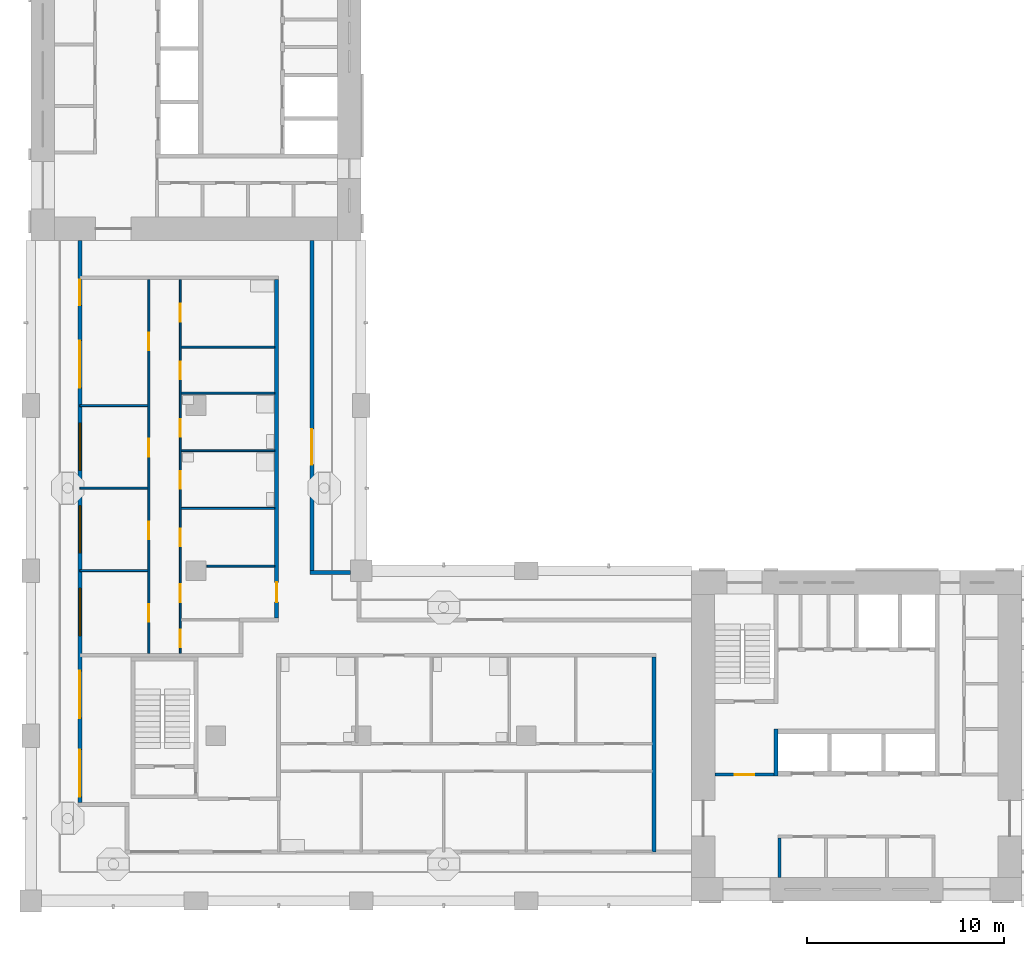
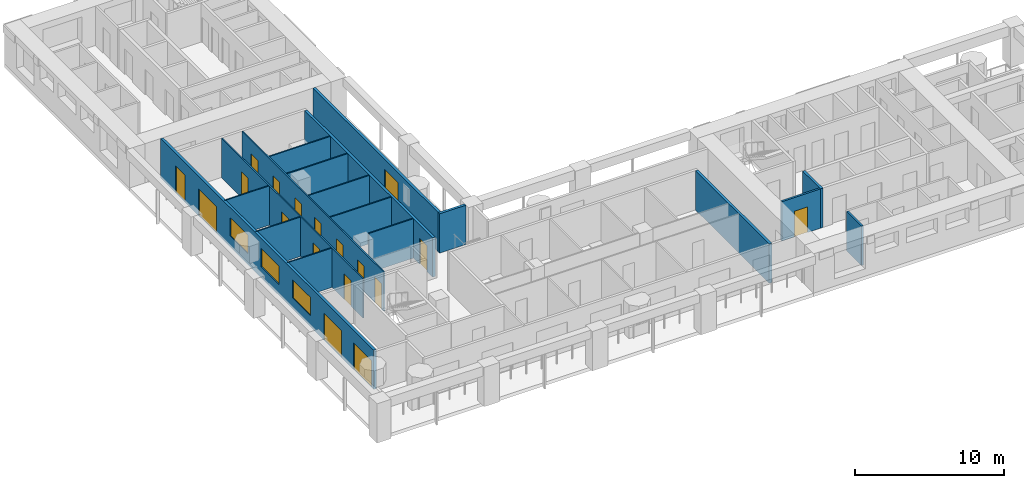
# One storey, part 3 of 13: 18 doors, 18 walls, 3 windows, 21 openings.
"""IFC4 building model written with IfcOpenShell, lengths in metres."""

from ifc_helpers import new_model, si_unit, direction, frame, frame_2d, origin, place, context, subcontext, project, spatial, rectangle, extrude, material, layer, layer_set, type_object, element, fill, save


model = new_model("IFC4")

# Units and contexts
model_context = context("Model", 3, precision=1e-05, world=origin(), true_north=direction((0.0, 1.0)))
body_context = subcontext(model_context, "Body", "Model", "MODEL_VIEW")
ifc_project = project(units=[si_unit("LENGTHUNIT", "METRE"), si_unit("AREAUNIT", "SQUARE_METRE"), si_unit("VOLUMEUNIT", "CUBIC_METRE"), si_unit("PLANEANGLEUNIT", "RADIAN"), si_unit("MASSUNIT", "GRAM", prefix="KILO")], contexts=[model_context])

# Site, building, storey
site_placement = place(None, origin())
site = spatial("IfcSite", under=ifc_project, at=site_placement, CompositionType="ELEMENT")
building_placement = place(site_placement, origin())
building = spatial("IfcBuilding", under=site, at=building_placement, Name="Vermilion Gate Residences", CompositionType="ELEMENT")
storey_placement = place(building_placement, frame((0.0, 0.0, 158.199951171875)))
storey = spatial("IfcBuildingStorey", under=building, at=storey_placement, Name="L40", CompositionType="ELEMENT", Elevation=158.199951171875)

# Wall
ifc_material_1 = material(Name="Masonry blockwork", Category="masonry")
ifc_layer_1 = layer(ifc_material_1, 0.14990234375)
ifc_layer_set_1 = layer_set([ifc_layer_1], Name="BLOCKWORK PARTITION 150 EI 120")
wall_type_1 = type_object("IfcWallType", Name="BLOCKWORK PARTITION 150 EI 120", PredefinedType="PARTITIONING", material=ifc_layer_set_1)
wall_1_placement = place(storey_placement, frame((46.47509765625, 9.60009765625, 0.0), z_axis=(0.0, 0.0, 1.0), x_axis=(0.0, 1.0, 0.0)))
element("IfcWall", 1, at=wall_1_placement, inside=storey, type_object=wall_type_1, Name="Core room partition A40-RW-W", PredefinedType="PARTITIONING", context=body_context, shape_type="SweptSolid", body=[
    extrude(rectangle(XDim=2.0, YDim=0.14990234375, at=frame_2d((1.0, 0.0))), origin(), (0.0, 0.0, 1.0), 3.219970703125),
])

# Wall, opening, door
wall_2_placement = place(storey_placement, frame((43.199951171875, 14.824951171875, 0.0), z_axis=(0.0, 0.0, 1.0), x_axis=(1.0, 0.0, 0.0)))
wall_2 = element("IfcWall", 2, at=wall_2_placement, inside=storey, type_object=wall_type_1, Name="Core room partition A40-VW-S", PredefinedType="PARTITIONING", context=body_context, shape_type="SweptSolid", body=[
    extrude(rectangle(XDim=3.0, YDim=0.14990234375, at=frame_2d((1.5, 0.0))), origin(), (0.0, 0.0, 1.0), 3.219970703125),
])
opening_1_placement = place(wall_2_placement, frame((1.0, 0.0, 0.0)))
opening_1 = element("IfcOpeningElement", 3, at=opening_1_placement, cuts=wall_2, Name="Opening DK40014", PredefinedType="OPENING", context=body_context, shape_type="SweptSolid", body=[
    extrude(rectangle(XDim=1.0, YDim=2.10009765625, at=frame_2d((0.5, 1.050048828125))), frame((0.0, 0.0849609375, 0.0), z_axis=(0.0, -1.0, 0.0), x_axis=(1.0, 0.0, 0.0)), (0.0, 0.0, 1.0), 0.169921875),
])
ifc_material_2 = material(Name="Steel", Category="steel")
door_type_1 = type_object("IfcDoorType", Name="FIRE DOOR FD60 1000 X 2100", OperationType="SINGLE_SWING_LEFT", PredefinedType="DOOR", material=ifc_material_2)
door_1_placement = place(opening_1_placement, frame((1.0, 0.0, 0.0), z_axis=(0.0, 0.0, 1.0), x_axis=(-1.0, 0.0, 0.0)))
door_1 = element("IfcDoor", 4, at=door_1_placement, inside=storey, type_object=door_type_1, Name="Stair vestibule door A40", OperationType="SINGLE_SWING_RIGHT", OverallHeight=2.10009765625, OverallWidth=1.0, PredefinedType="DOOR", context=body_context, shape_type="SweptSolid", body=[
    extrude(rectangle(XDim=1.0, YDim=2.10009765625, at=frame_2d((0.5, 1.050048828125))), frame((0.0, 0.02490234375, 0.0), z_axis=(0.0, -1.0, 0.0), x_axis=(1.0, 0.0, 0.0)), (0.0, 0.0, 1.0), 0.050048828125),
])
fill(opening_1, door_1)

# Wall, openings, doors, windows
ifc_material_3 = material(Name="Insulated steel stud wall with terracotta rainscreen", Category="masonry")
ifc_layer_2 = layer(ifc_material_3, 0.199951171875)
ifc_layer_set_2 = layer_set([ifc_layer_2], Name="EXTERNAL WALL 200 TERRACOTTA RAINSCREEN")
wall_type_2 = type_object("IfcWallType", Name="EXTERNAL WALL 200 TERRACOTTA RAINSCREEN", PredefinedType="SOLIDWALL", material=ifc_layer_set_2)
wall_3_placement = place(storey_placement, frame((10.89990234375, 42.0, 0.0), z_axis=(0.0, 0.0, 1.0), x_axis=(0.0, -1.0, 0.0)))
wall_3 = element("IfcWall", 5, at=wall_3_placement, inside=storey, type_object=wall_type_2, Name="External wall", PredefinedType="SOLIDWALL", context=body_context, shape_type="SweptSolid", body=[
    extrude(rectangle(XDim=28.60009765625, YDim=0.199951171875, at=frame_2d((14.300048828125, 0.0))), origin(), (0.0, 0.0, 1.0), 3.219970703125),
])
opening_2_placement = place(wall_3_placement, frame((25.89990234375, 0.0, 0.0)))
opening_2 = element("IfcOpeningElement", 6, at=opening_2_placement, cuts=wall_3, Name="Opening DE40001", PredefinedType="OPENING", context=body_context, shape_type="SweptSolid", body=[
    extrude(rectangle(XDim=2.39990234375, YDim=2.199951171875, at=frame_2d((1.199951171875, 1.10009765625))), frame((0.0, 0.10986328125, 0.0), z_axis=(0.0, -1.0, 0.0), x_axis=(1.0, 0.0, 0.0)), (0.0, 0.0, 1.0), 0.219970703125),
])
opening_3_placement = place(wall_3_placement, frame((21.89990234375, 0.0, 0.0)))
opening_3 = element("IfcOpeningElement", 7, at=opening_3_placement, cuts=wall_3, Name="Opening DE40002", PredefinedType="OPENING", context=body_context, shape_type="SweptSolid", body=[
    extrude(rectangle(XDim=2.39990234375, YDim=2.199951171875, at=frame_2d((1.199951171875, 1.10009765625))), frame((0.0, 0.10986328125, 0.0), z_axis=(0.0, -1.0, 0.0), x_axis=(1.0, 0.0, 0.0)), (0.0, 0.0, 1.0), 0.219970703125),
])
opening_4_placement = place(wall_3_placement, frame((17.699951171875, 0.0, 0.89990234375)))
opening_4 = element("IfcOpeningElement", 8, at=opening_4_placement, cuts=wall_3, Name="Opening WE40003", PredefinedType="OPENING", context=body_context, shape_type="SweptSolid", body=[
    extrude(rectangle(XDim=2.39990234375, YDim=1.5, at=frame_2d((1.199951171875, 0.75))), frame((0.0, 0.10986328125, 0.0), z_axis=(0.0, -1.0, 0.0), x_axis=(1.0, 0.0, 0.0)), (0.0, 0.0, 1.0), 0.219970703125),
])
opening_5_placement = place(wall_3_placement, frame((13.5, 0.0, 0.89990234375)))
opening_5 = element("IfcOpeningElement", 9, at=opening_5_placement, cuts=wall_3, Name="Opening WE40004", PredefinedType="OPENING", context=body_context, shape_type="SweptSolid", body=[
    extrude(rectangle(XDim=2.39990234375, YDim=1.5, at=frame_2d((1.199951171875, 0.75))), frame((0.0, 0.10986328125, 0.0), z_axis=(0.0, -1.0, 0.0), x_axis=(1.0, 0.0, 0.0)), (0.0, 0.0, 1.0), 0.219970703125),
])
opening_6_placement = place(wall_3_placement, frame((9.300048828125, 0.0, 0.89990234375)))
opening_6 = element("IfcOpeningElement", 10, at=opening_6_placement, cuts=wall_3, Name="Opening WE40005", PredefinedType="OPENING", context=body_context, shape_type="SweptSolid", body=[
    extrude(rectangle(XDim=2.39990234375, YDim=1.5, at=frame_2d((1.199951171875, 0.75))), frame((0.0, 0.10986328125, 0.0), z_axis=(0.0, -1.0, 0.0), x_axis=(1.0, 0.0, 0.0)), (0.0, 0.0, 1.0), 0.219970703125),
])
opening_7_placement = place(wall_3_placement, frame((5.10009765625, 0.0, 0.0)))
opening_7 = element("IfcOpeningElement", 11, at=opening_7_placement, cuts=wall_3, Name="Opening DE40006", PredefinedType="OPENING", context=body_context, shape_type="SweptSolid", body=[
    extrude(rectangle(XDim=2.39990234375, YDim=2.199951171875, at=frame_2d((1.199951171875, 1.10009765625))), frame((0.0, 0.10986328125, 0.0), z_axis=(0.0, -1.0, 0.0), x_axis=(1.0, 0.0, 0.0)), (0.0, 0.0, 1.0), 0.219970703125),
])
opening_8_placement = place(wall_3_placement, frame((2.0, 0.0, 0.0)))
opening_8 = element("IfcOpeningElement", 12, at=opening_8_placement, cuts=wall_3, Name="Opening DE40007", PredefinedType="OPENING", context=body_context, shape_type="SweptSolid", body=[
    extrude(rectangle(XDim=1.300048828125, YDim=2.199951171875, at=frame_2d((0.64990234375, 1.10009765625))), frame((0.0, 0.10986328125, 0.0), z_axis=(0.0, -1.0, 0.0), x_axis=(1.0, 0.0, 0.0)), (0.0, 0.0, 1.0), 0.219970703125),
])
ifc_material_4 = material(Name="Aluminium and clear glass", Category="aluminium")
door_type_2 = type_object("IfcDoorType", Name="SLIDING GLAZED DOOR 1300 X 2200", OperationType="DOUBLE_DOOR_SLIDING", PredefinedType="DOOR", material=ifc_material_4)
door_2_placement = place(opening_8_placement, origin())
door_2 = element("IfcDoor", 13, at=door_2_placement, inside=storey, type_object=door_type_2, Name="Loggia sliding door", OperationType="DOUBLE_DOOR_SLIDING", OverallHeight=2.199951171875, OverallWidth=1.300048828125, PredefinedType="DOOR", context=body_context, shape_type="SweptSolid", body=[
    extrude(rectangle(XDim=1.300048828125, YDim=2.199951171875, at=frame_2d((0.64990234375, 1.10009765625))), frame((0.0, 0.02490234375, 0.0), z_axis=(0.0, -1.0, 0.0), x_axis=(1.0, 0.0, 0.0)), (0.0, 0.0, 1.0), 0.050048828125),
])
fill(opening_8, door_2)
ifc_material_5 = material(Name="Aluminium and clear glass", Category="aluminium")
door_type_3 = type_object("IfcDoorType", Name="SLIDING GLAZED DOOR 2400 X 2200", OperationType="DOUBLE_DOOR_SLIDING", PredefinedType="DOOR", material=ifc_material_5)
door_3_placement = place(opening_2_placement, origin())
door_3 = element("IfcDoor", 14, at=door_3_placement, inside=storey, type_object=door_type_3, Name="Loggia sliding door", OperationType="DOUBLE_DOOR_SLIDING", OverallHeight=2.199951171875, OverallWidth=2.39990234375, PredefinedType="DOOR", context=body_context, shape_type="SweptSolid", body=[
    extrude(rectangle(XDim=2.39990234375, YDim=2.199951171875, at=frame_2d((1.199951171875, 1.10009765625))), frame((0.0, 0.02490234375, 0.0), z_axis=(0.0, -1.0, 0.0), x_axis=(1.0, 0.0, 0.0)), (0.0, 0.0, 1.0), 0.050048828125),
])
fill(opening_2, door_3)
door_4_placement = place(opening_3_placement, origin())
door_4 = element("IfcDoor", 15, at=door_4_placement, inside=storey, type_object=door_type_3, Name="Loggia sliding door", OperationType="DOUBLE_DOOR_SLIDING", OverallHeight=2.199951171875, OverallWidth=2.39990234375, PredefinedType="DOOR", context=body_context, shape_type="SweptSolid", body=[
    extrude(rectangle(XDim=2.39990234375, YDim=2.199951171875, at=frame_2d((1.199951171875, 1.10009765625))), frame((0.0, 0.02490234375, 0.0), z_axis=(0.0, -1.0, 0.0), x_axis=(1.0, 0.0, 0.0)), (0.0, 0.0, 1.0), 0.050048828125),
])
fill(opening_3, door_4)
door_5_placement = place(opening_7_placement, origin())
door_5 = element("IfcDoor", 16, at=door_5_placement, inside=storey, type_object=door_type_3, Name="Loggia sliding door", OperationType="DOUBLE_DOOR_SLIDING", OverallHeight=2.199951171875, OverallWidth=2.39990234375, PredefinedType="DOOR", context=body_context, shape_type="SweptSolid", body=[
    extrude(rectangle(XDim=2.39990234375, YDim=2.199951171875, at=frame_2d((1.199951171875, 1.10009765625))), frame((0.0, 0.02490234375, 0.0), z_axis=(0.0, -1.0, 0.0), x_axis=(1.0, 0.0, 0.0)), (0.0, 0.0, 1.0), 0.050048828125),
])
fill(opening_7, door_5)
ifc_material_6 = material(Name="Aluminium and clear glass", Category="aluminium")
window_type = type_object("IfcWindowType", Name="WINDOW 2400 X 1500", PartitioningType="SINGLE_PANEL", PredefinedType="WINDOW", material=ifc_material_6)
window_1_placement = place(opening_4_placement, origin())
window_1 = element("IfcWindow", 17, at=window_1_placement, inside=storey, type_object=window_type, Name="Window", OverallHeight=1.5, OverallWidth=2.39990234375, PartitioningType="SINGLE_PANEL", PredefinedType="WINDOW", context=body_context, shape_type="SweptSolid", body=[
    extrude(rectangle(XDim=2.39990234375, YDim=1.5, at=frame_2d((1.199951171875, 0.75))), frame((0.0, 0.030029296875, 0.0), z_axis=(0.0, -1.0, 0.0), x_axis=(1.0, 0.0, 0.0)), (0.0, 0.0, 1.0), 0.06005859375),
])
fill(opening_4, window_1)
window_2_placement = place(opening_5_placement, origin())
window_2 = element("IfcWindow", 18, at=window_2_placement, inside=storey, type_object=window_type, Name="Window", OverallHeight=1.5, OverallWidth=2.39990234375, PartitioningType="SINGLE_PANEL", PredefinedType="WINDOW", context=body_context, shape_type="SweptSolid", body=[
    extrude(rectangle(XDim=2.39990234375, YDim=1.5, at=frame_2d((1.199951171875, 0.75))), frame((0.0, 0.030029296875, 0.0), z_axis=(0.0, -1.0, 0.0), x_axis=(1.0, 0.0, 0.0)), (0.0, 0.0, 1.0), 0.06005859375),
])
fill(opening_5, window_2)
window_3_placement = place(opening_6_placement, origin())
window_3 = element("IfcWindow", 19, at=window_3_placement, inside=storey, type_object=window_type, Name="Window", OverallHeight=1.5, OverallWidth=2.39990234375, PartitioningType="SINGLE_PANEL", PredefinedType="WINDOW", context=body_context, shape_type="SweptSolid", body=[
    extrude(rectangle(XDim=2.39990234375, YDim=1.5, at=frame_2d((1.199951171875, 0.75))), frame((0.0, 0.030029296875, 0.0), z_axis=(0.0, -1.0, 0.0), x_axis=(1.0, 0.0, 0.0)), (0.0, 0.0, 1.0), 0.06005859375),
])
fill(opening_6, window_3)

# Wall
wall_4_placement = place(storey_placement, frame((24.64990234375, 25.10009765625, 0.0), z_axis=(0.0, 0.0, 1.0), x_axis=(-1.0, 0.0, 0.0)))
element("IfcWall", 20, at=wall_4_placement, inside=storey, type_object=wall_type_2, Name="External wall", PredefinedType="SOLIDWALL", context=body_context, shape_type="SweptSolid", body=[
    extrude(rectangle(XDim=2.0498046875, YDim=0.199951171875, at=frame_2d((1.02490234375, 0.0))), origin(), (0.0, 0.0, 1.0), 3.219970703125),
])

# Wall, opening, door
wall_5_placement = place(storey_placement, frame((22.699951171875, 25.199951171875, 0.0), z_axis=(0.0, 0.0, 1.0), x_axis=(0.0, 1.0, 0.0)))
wall_5 = element("IfcWall", 21, at=wall_5_placement, inside=storey, type_object=wall_type_2, Name="External wall", PredefinedType="SOLIDWALL", context=body_context, shape_type="SweptSolid", body=[
    extrude(rectangle(XDim=16.800048828125, YDim=0.199951171875, at=frame_2d((8.39990234375, 0.0))), origin(), (0.0, 0.0, 1.0), 3.219970703125),
])
opening_9_placement = place(wall_5_placement, frame((5.39990234375, 0.0, 0.0)))
opening_9 = element("IfcOpeningElement", 22, at=opening_9_placement, cuts=wall_5, Name="Opening DE40021", PredefinedType="OPENING", context=body_context, shape_type="SweptSolid", body=[
    extrude(rectangle(XDim=1.800048828125, YDim=2.39990234375, at=frame_2d((0.89990234375, 1.199951171875))), frame((0.0, 0.10986328125, 0.0), z_axis=(0.0, -1.0, 0.0), x_axis=(1.0, 0.0, 0.0)), (0.0, 0.0, 1.0), 0.219970703125),
])
ifc_material_7 = material(Name="Aluminium and clear glass", Category="aluminium")
door_type_4 = type_object("IfcDoorType", Name="GLAZED EXTERNAL DOOR 1800 X 2400", OperationType="DOUBLE_DOOR_SINGLE_SWING", PredefinedType="DOOR", material=ifc_material_7)
door_6_placement = place(opening_9_placement, frame((1.800048828125, 0.0, 0.0), z_axis=(0.0, 0.0, 1.0), x_axis=(-1.0, 0.0, 0.0)))
door_6 = element("IfcDoor", 23, at=door_6_placement, inside=storey, type_object=door_type_4, Name="Gallery door", OperationType="DOUBLE_DOOR_SINGLE_SWING", OverallHeight=2.39990234375, OverallWidth=1.800048828125, PredefinedType="DOOR", context=body_context, shape_type="SweptSolid", body=[
    extrude(rectangle(XDim=1.800048828125, YDim=2.39990234375, at=frame_2d((0.89990234375, 1.199951171875))), frame((0.0, 0.02490234375, 0.0), z_axis=(0.0, -1.0, 0.0), x_axis=(1.0, 0.0, 0.0)), (0.0, 0.0, 1.0), 0.050048828125),
])
fill(opening_9, door_6)

# Walls
ifc_material_8 = material(Name="Plasterboard on steel studs", Category="steel")
ifc_layer_3 = layer(ifc_material_8, 0.10009765625)
ifc_layer_set_3 = layer_set([ifc_layer_3], Name="PARTITION 100")
wall_type_3 = type_object("IfcWallType", Name="PARTITION 100", PredefinedType="PARTITIONING", material=ifc_layer_set_3)
wall_6_placement = place(storey_placement, frame((10.89990234375, 25.199951171875, 0.0), z_axis=(0.0, 0.0, 1.0), x_axis=(1.0, 0.0, 0.0)))
element("IfcWall", 24, at=wall_6_placement, inside=storey, type_object=wall_type_3, Name="Partition", PredefinedType="PARTITIONING", context=body_context, shape_type="SweptSolid", body=[
    extrude(rectangle(XDim=3.4501953125, YDim=0.10009765625, at=frame_2d((1.72509765625, 0.0))), origin(), (0.0, 0.0, 1.0), 3.219970703125),
])
wall_7_placement = place(storey_placement, frame((17.35009765625, 25.43310546875, 0.0), z_axis=(0.0, 0.0, 1.0), x_axis=(1.0, 0.0, 0.0)))
element("IfcWall", 25, at=wall_7_placement, inside=storey, type_object=wall_type_3, Name="Partition", PredefinedType="PARTITIONING", context=body_context, shape_type="SweptSolid", body=[
    extrude(rectangle(XDim=3.449951171875, YDim=0.10009765625, at=frame_2d((1.72509765625, 0.0))), origin(), (0.0, 0.0, 1.0), 3.219970703125),
])
wall_8_placement = place(storey_placement, frame((16.050048828125, 28.366943359375, 0.0), z_axis=(0.0, 0.0, 1.0), x_axis=(1.0, 0.0, 0.0)))
element("IfcWall", 26, at=wall_8_placement, inside=storey, type_object=wall_type_3, Name="Partition", PredefinedType="PARTITIONING", context=body_context, shape_type="SweptSolid", body=[
    extrude(rectangle(XDim=4.75, YDim=0.10009765625, at=frame_2d((2.375, 0.0))), origin(), (0.0, 0.0, 1.0), 3.219970703125),
])
wall_9_placement = place(storey_placement, frame((10.89990234375, 29.39990234375, 0.0), z_axis=(0.0, 0.0, 1.0), x_axis=(1.0, 0.0, 0.0)))
element("IfcWall", 27, at=wall_9_placement, inside=storey, type_object=wall_type_3, Name="Partition", PredefinedType="PARTITIONING", context=body_context, shape_type="SweptSolid", body=[
    extrude(rectangle(XDim=3.4501953125, YDim=0.10009765625, at=frame_2d((1.72509765625, 0.0))), origin(), (0.0, 0.0, 1.0), 3.219970703125),
])
wall_10_placement = place(storey_placement, frame((16.050048828125, 31.300048828125, 0.0), z_axis=(0.0, 0.0, 1.0), x_axis=(1.0, 0.0, 0.0)))
element("IfcWall", 28, at=wall_10_placement, inside=storey, type_object=wall_type_3, Name="Partition", PredefinedType="PARTITIONING", context=body_context, shape_type="SweptSolid", body=[
    extrude(rectangle(XDim=4.75, YDim=0.10009765625, at=frame_2d((2.375, 0.0))), origin(), (0.0, 0.0, 1.0), 3.219970703125),
])
wall_11_placement = place(storey_placement, frame((10.89990234375, 33.60009765625, 0.0), z_axis=(0.0, 0.0, 1.0), x_axis=(1.0, 0.0, 0.0)))
element("IfcWall", 29, at=wall_11_placement, inside=storey, type_object=wall_type_3, Name="Partition", PredefinedType="PARTITIONING", context=body_context, shape_type="SweptSolid", body=[
    extrude(rectangle(XDim=3.4501953125, YDim=0.10009765625, at=frame_2d((1.72509765625, 0.0))), origin(), (0.0, 0.0, 1.0), 3.219970703125),
])
for number, where, z_axis, x_axis, name in (
    (30, (16.050048828125, 34.23291015625, 0.0), (0.0, 0.0, 1.0), (1.0, 0.0, 0.0), "Partition"),
    (31, (16.050048828125, 36.56689453125, 0.0), (0.0, 0.0, 1.0), (1.0, 0.0, 0.0), "Partition"),
):
    element("IfcWall", number, at=place(storey_placement, frame(where, z_axis=z_axis, x_axis=x_axis)), inside=storey, type_object=wall_type_3, Name=name, PredefinedType="PARTITIONING", context=body_context, shape_type="SweptSolid", body=[
        extrude(rectangle(XDim=4.75, YDim=0.10009765625, at=frame_2d((2.375, 0.0))), origin(), (0.0, 0.0, 1.0), 3.219970703125),
    ])

# Wall, openings, doors
wall_12_placement = place(storey_placement, frame((14.39990234375, 21.0, 0.0), z_axis=(0.0, 0.0, 1.0), x_axis=(0.0, 1.0, 0.0)))
wall_12 = element("IfcWall", 32, at=wall_12_placement, inside=storey, type_object=wall_type_3, Name="Partition", PredefinedType="PARTITIONING", context=body_context, shape_type="SweptSolid", body=[
    extrude(rectangle(XDim=19.0, YDim=0.10009765625, at=frame_2d((9.5, 0.0))), origin(), (0.0, 0.0, 1.0), 3.219970703125),
])
opening_10_placement = place(wall_12_placement, frame((1.60009765625, 0.0, 0.0)))
opening_10 = element("IfcOpeningElement", 33, at=opening_10_placement, cuts=wall_12, Name="Opening DA40012", PredefinedType="OPENING", context=body_context, shape_type="SweptSolid", body=[
    extrude(rectangle(XDim=0.89990234375, YDim=2.10009765625, at=frame_2d((0.449951171875, 1.050048828125))), frame((0.0, 0.06005859375, 0.0), z_axis=(0.0, -1.0, 0.0), x_axis=(1.0, 0.0, 0.0)), (0.0, 0.0, 1.0), 0.1201171875),
])
opening_11_placement = place(wall_12_placement, frame((5.800048828125, 0.0, 0.0)))
opening_11 = element("IfcOpeningElement", 34, at=opening_11_placement, cuts=wall_12, Name="Opening DA40013", PredefinedType="OPENING", context=body_context, shape_type="SweptSolid", body=[
    extrude(rectangle(XDim=0.89990234375, YDim=2.10009765625, at=frame_2d((0.449951171875, 1.050048828125))), frame((0.0, 0.06005859375, 0.0), z_axis=(0.0, -1.0, 0.0), x_axis=(1.0, 0.0, 0.0)), (0.0, 0.0, 1.0), 0.1201171875),
])
opening_12_placement = place(wall_12_placement, frame((10.0, 0.0, 0.0)))
opening_12 = element("IfcOpeningElement", 35, at=opening_12_placement, cuts=wall_12, Name="Opening DA40014", PredefinedType="OPENING", context=body_context, shape_type="SweptSolid", body=[
    extrude(rectangle(XDim=0.89990234375, YDim=2.10009765625, at=frame_2d((0.449951171875, 1.050048828125))), frame((0.0, 0.06005859375, 0.0), z_axis=(0.0, -1.0, 0.0), x_axis=(1.0, 0.0, 0.0)), (0.0, 0.0, 1.0), 0.1201171875),
])
opening_13_placement = place(wall_12_placement, frame((15.39990234375, 0.0, 0.0)))
opening_13 = element("IfcOpeningElement", 36, at=opening_13_placement, cuts=wall_12, Name="Opening DA40015", PredefinedType="OPENING", context=body_context, shape_type="SweptSolid", body=[
    extrude(rectangle(XDim=0.89990234375, YDim=2.10009765625, at=frame_2d((0.449951171875, 1.050048828125))), frame((0.0, 0.06005859375, 0.0), z_axis=(0.0, -1.0, 0.0), x_axis=(1.0, 0.0, 0.0)), (0.0, 0.0, 1.0), 0.1201171875),
])
ifc_material_9 = material(Name="Timber", Category="wood")
door_type_5 = type_object("IfcDoorType", Name="INTERIOR DOOR 900 X 2100", OperationType="SINGLE_SWING_LEFT", PredefinedType="DOOR", material=ifc_material_9)
door_7_placement = place(opening_10_placement, origin())
door_7 = element("IfcDoor", 37, at=door_7_placement, inside=storey, type_object=door_type_5, Name="Interior door", OperationType="SINGLE_SWING_LEFT", OverallHeight=2.10009765625, OverallWidth=0.89990234375, PredefinedType="DOOR", context=body_context, shape_type="SweptSolid", body=[
    extrude(rectangle(XDim=0.89990234375, YDim=2.10009765625, at=frame_2d((0.449951171875, 1.050048828125))), frame((0.0, 0.02490234375, 0.0), z_axis=(0.0, -1.0, 0.0), x_axis=(1.0, 0.0, 0.0)), (0.0, 0.0, 1.0), 0.050048828125),
])
fill(opening_10, door_7)
door_8_placement = place(opening_11_placement, origin())
door_8 = element("IfcDoor", 38, at=door_8_placement, inside=storey, type_object=door_type_5, Name="Interior door", OperationType="SINGLE_SWING_LEFT", OverallHeight=2.10009765625, OverallWidth=0.89990234375, PredefinedType="DOOR", context=body_context, shape_type="SweptSolid", body=[
    extrude(rectangle(XDim=0.89990234375, YDim=2.10009765625, at=frame_2d((0.449951171875, 1.050048828125))), frame((0.0, 0.02490234375, 0.0), z_axis=(0.0, -1.0, 0.0), x_axis=(1.0, 0.0, 0.0)), (0.0, 0.0, 1.0), 0.050048828125),
])
fill(opening_11, door_8)
door_9_placement = place(opening_12_placement, origin())
door_9 = element("IfcDoor", 39, at=door_9_placement, inside=storey, type_object=door_type_5, Name="Interior door", OperationType="SINGLE_SWING_LEFT", OverallHeight=2.10009765625, OverallWidth=0.89990234375, PredefinedType="DOOR", context=body_context, shape_type="SweptSolid", body=[
    extrude(rectangle(XDim=0.89990234375, YDim=2.10009765625, at=frame_2d((0.449951171875, 1.050048828125))), frame((0.0, 0.02490234375, 0.0), z_axis=(0.0, -1.0, 0.0), x_axis=(1.0, 0.0, 0.0)), (0.0, 0.0, 1.0), 0.050048828125),
])
fill(opening_12, door_9)
door_10_placement = place(opening_13_placement, origin())
door_10 = element("IfcDoor", 40, at=door_10_placement, inside=storey, type_object=door_type_5, Name="Interior door", OperationType="SINGLE_SWING_RIGHT", OverallHeight=2.10009765625, OverallWidth=0.89990234375, PredefinedType="DOOR", context=body_context, shape_type="SweptSolid", body=[
    extrude(rectangle(XDim=0.89990234375, YDim=2.10009765625, at=frame_2d((0.449951171875, 1.050048828125))), frame((0.0, 0.02490234375, 0.0), z_axis=(0.0, -1.0, 0.0), x_axis=(1.0, 0.0, 0.0)), (0.0, 0.0, 1.0), 0.050048828125),
])
fill(opening_13, door_10)

wall_13_placement = place(storey_placement, frame((16.0, 21.0, 0.0), z_axis=(0.0, 0.0, 1.0), x_axis=(0.0, 1.0, 0.0)))
wall_13 = element("IfcWall", 41, at=wall_13_placement, inside=storey, type_object=wall_type_3, Name="Partition", PredefinedType="PARTITIONING", context=body_context, shape_type="SweptSolid", body=[
    extrude(rectangle(XDim=19.0, YDim=0.10009765625, at=frame_2d((9.5, 0.0))), origin(), (0.0, 0.0, 1.0), 3.219970703125),
])
opening_14_placement = place(wall_13_placement, frame((2.60009765625, 0.0, 0.0)))
opening_14 = element("IfcOpeningElement", 42, at=opening_14_placement, cuts=wall_13, Name="Opening DA40016", PredefinedType="OPENING", context=body_context, shape_type="SweptSolid", body=[
    extrude(rectangle(XDim=0.89990234375, YDim=2.10009765625, at=frame_2d((0.449951171875, 1.050048828125))), frame((0.0, 0.06005859375, 0.0), z_axis=(0.0, -1.0, 0.0), x_axis=(1.0, 0.0, 0.0)), (0.0, 0.0, 1.0), 0.1201171875),
])
opening_15_placement = place(wall_13_placement, frame((0.300048828125, 0.0, 0.0)))
opening_15 = element("IfcOpeningElement", 43, at=opening_15_placement, cuts=wall_13, Name="Opening DA40017", PredefinedType="OPENING", context=body_context, shape_type="SweptSolid", body=[
    extrude(rectangle(XDim=0.89990234375, YDim=2.10009765625, at=frame_2d((0.449951171875, 1.050048828125))), frame((0.0, 0.06005859375, 0.0), z_axis=(0.0, -1.0, 0.0), x_axis=(1.0, 0.0, 0.0)), (0.0, 0.0, 1.0), 0.1201171875),
])
opening_16_placement = place(wall_13_placement, frame((5.43310546875, 0.0, 0.0)))
opening_16 = element("IfcOpeningElement", 44, at=opening_16_placement, cuts=wall_13, Name="Opening DA40018", PredefinedType="OPENING", context=body_context, shape_type="SweptSolid", body=[
    extrude(rectangle(XDim=0.89990234375, YDim=2.10009765625, at=frame_2d((0.449951171875, 1.050048828125))), frame((0.0, 0.06005859375, 0.0), z_axis=(0.0, -1.0, 0.0), x_axis=(1.0, 0.0, 0.0)), (0.0, 0.0, 1.0), 0.1201171875),
])
opening_17_placement = place(wall_13_placement, frame((8.366943359375, 0.0, 0.0)))
opening_17 = element("IfcOpeningElement", 45, at=opening_17_placement, cuts=wall_13, Name="Opening DA40019", PredefinedType="OPENING", context=body_context, shape_type="SweptSolid", body=[
    extrude(rectangle(XDim=0.89990234375, YDim=2.10009765625, at=frame_2d((0.449951171875, 1.050048828125))), frame((0.0, 0.06005859375, 0.0), z_axis=(0.0, -1.0, 0.0), x_axis=(1.0, 0.0, 0.0)), (0.0, 0.0, 1.0), 0.1201171875),
])
opening_18_placement = place(wall_13_placement, frame((11.0, 0.0, 0.0)))
opening_18 = element("IfcOpeningElement", 46, at=opening_18_placement, cuts=wall_13, Name="Opening DA40020", PredefinedType="OPENING", context=body_context, shape_type="SweptSolid", body=[
    extrude(rectangle(XDim=0.89990234375, YDim=2.10009765625, at=frame_2d((0.449951171875, 1.050048828125))), frame((0.0, 0.06005859375, 0.0), z_axis=(0.0, -1.0, 0.0), x_axis=(1.0, 0.0, 0.0)), (0.0, 0.0, 1.0), 0.1201171875),
])
opening_19_placement = place(wall_13_placement, frame((13.93310546875, 0.0, 0.0)))
opening_19 = element("IfcOpeningElement", 47, at=opening_19_placement, cuts=wall_13, Name="Opening DA40021", PredefinedType="OPENING", context=body_context, shape_type="SweptSolid", body=[
    extrude(rectangle(XDim=0.89990234375, YDim=2.10009765625, at=frame_2d((0.449951171875, 1.050048828125))), frame((0.0, 0.06005859375, 0.0), z_axis=(0.0, -1.0, 0.0), x_axis=(1.0, 0.0, 0.0)), (0.0, 0.0, 1.0), 0.1201171875),
])
opening_20_placement = place(wall_13_placement, frame((16.866943359375, 0.0, 0.0)))
opening_20 = element("IfcOpeningElement", 48, at=opening_20_placement, cuts=wall_13, Name="Opening DA40022", PredefinedType="OPENING", context=body_context, shape_type="SweptSolid", body=[
    extrude(rectangle(XDim=0.89990234375, YDim=2.10009765625, at=frame_2d((0.449951171875, 1.050048828125))), frame((0.0, 0.06005859375, 0.0), z_axis=(0.0, -1.0, 0.0), x_axis=(1.0, 0.0, 0.0)), (0.0, 0.0, 1.0), 0.1201171875),
])
door_11_placement = place(opening_14_placement, frame((0.89990234375, 0.0, 0.0), z_axis=(0.0, 0.0, 1.0), x_axis=(-1.0, 0.0, 0.0)))
door_11 = element("IfcDoor", 49, at=door_11_placement, inside=storey, type_object=door_type_5, Name="Interior door", OperationType="SINGLE_SWING_RIGHT", OverallHeight=2.10009765625, OverallWidth=0.89990234375, PredefinedType="DOOR", context=body_context, shape_type="SweptSolid", body=[
    extrude(rectangle(XDim=0.89990234375, YDim=2.10009765625, at=frame_2d((0.449951171875, 1.050048828125))), frame((0.0, 0.02490234375, 0.0), z_axis=(0.0, -1.0, 0.0), x_axis=(1.0, 0.0, 0.0)), (0.0, 0.0, 1.0), 0.050048828125),
])
fill(opening_14, door_11)
door_12_placement = place(opening_15_placement, frame((0.89990234375, 0.0, 0.0), z_axis=(0.0, 0.0, 1.0), x_axis=(-1.0, 0.0, 0.0)))
door_12 = element("IfcDoor", 50, at=door_12_placement, inside=storey, type_object=door_type_5, Name="Interior door", OperationType="SINGLE_SWING_RIGHT", OverallHeight=2.10009765625, OverallWidth=0.89990234375, PredefinedType="DOOR", context=body_context, shape_type="SweptSolid", body=[
    extrude(rectangle(XDim=0.89990234375, YDim=2.10009765625, at=frame_2d((0.449951171875, 1.050048828125))), frame((0.0, 0.02490234375, 0.0), z_axis=(0.0, -1.0, 0.0), x_axis=(1.0, 0.0, 0.0)), (0.0, 0.0, 1.0), 0.050048828125),
])
fill(opening_15, door_12)
door_13_placement = place(opening_16_placement, frame((0.89990234375, 0.0, 0.0), z_axis=(0.0, 0.0, 1.0), x_axis=(-1.0, 0.0, 0.0)))
door_13 = element("IfcDoor", 51, at=door_13_placement, inside=storey, type_object=door_type_5, Name="Interior door", OperationType="SINGLE_SWING_LEFT", OverallHeight=2.10009765625, OverallWidth=0.89990234375, PredefinedType="DOOR", context=body_context, shape_type="SweptSolid", body=[
    extrude(rectangle(XDim=0.89990234375, YDim=2.10009765625, at=frame_2d((0.449951171875, 1.050048828125))), frame((0.0, 0.02490234375, 0.0), z_axis=(0.0, -1.0, 0.0), x_axis=(1.0, 0.0, 0.0)), (0.0, 0.0, 1.0), 0.050048828125),
])
fill(opening_16, door_13)
door_14_placement = place(opening_17_placement, frame((0.89990234375, 0.0, 0.0), z_axis=(0.0, 0.0, 1.0), x_axis=(-1.0, 0.0, 0.0)))
door_14 = element("IfcDoor", 52, at=door_14_placement, inside=storey, type_object=door_type_5, Name="Interior door", OperationType="SINGLE_SWING_LEFT", OverallHeight=2.10009765625, OverallWidth=0.89990234375, PredefinedType="DOOR", context=body_context, shape_type="SweptSolid", body=[
    extrude(rectangle(XDim=0.89990234375, YDim=2.10009765625, at=frame_2d((0.449951171875, 1.050048828125))), frame((0.0, 0.02490234375, 0.0), z_axis=(0.0, -1.0, 0.0), x_axis=(1.0, 0.0, 0.0)), (0.0, 0.0, 1.0), 0.050048828125),
])
fill(opening_17, door_14)
door_15_placement = place(opening_18_placement, frame((0.89990234375, 0.0, 0.0), z_axis=(0.0, 0.0, 1.0), x_axis=(-1.0, 0.0, 0.0)))
door_15 = element("IfcDoor", 53, at=door_15_placement, inside=storey, type_object=door_type_5, Name="Interior door", OperationType="SINGLE_SWING_RIGHT", OverallHeight=2.10009765625, OverallWidth=0.89990234375, PredefinedType="DOOR", context=body_context, shape_type="SweptSolid", body=[
    extrude(rectangle(XDim=0.89990234375, YDim=2.10009765625, at=frame_2d((0.449951171875, 1.050048828125))), frame((0.0, 0.02490234375, 0.0), z_axis=(0.0, -1.0, 0.0), x_axis=(1.0, 0.0, 0.0)), (0.0, 0.0, 1.0), 0.050048828125),
])
fill(opening_18, door_15)
door_16_placement = place(opening_19_placement, frame((0.89990234375, 0.0, 0.0), z_axis=(0.0, 0.0, 1.0), x_axis=(-1.0, 0.0, 0.0)))
door_16 = element("IfcDoor", 54, at=door_16_placement, inside=storey, type_object=door_type_5, Name="Interior door", OperationType="SINGLE_SWING_RIGHT", OverallHeight=2.10009765625, OverallWidth=0.89990234375, PredefinedType="DOOR", context=body_context, shape_type="SweptSolid", body=[
    extrude(rectangle(XDim=0.89990234375, YDim=2.10009765625, at=frame_2d((0.449951171875, 1.050048828125))), frame((0.0, 0.02490234375, 0.0), z_axis=(0.0, -1.0, 0.0), x_axis=(1.0, 0.0, 0.0)), (0.0, 0.0, 1.0), 0.050048828125),
])
fill(opening_19, door_16)
door_17_placement = place(opening_20_placement, frame((0.89990234375, 0.0, 0.0), z_axis=(0.0, 0.0, 1.0), x_axis=(-1.0, 0.0, 0.0)))
door_17 = element("IfcDoor", 55, at=door_17_placement, inside=storey, type_object=door_type_5, Name="Interior door", OperationType="SINGLE_SWING_LEFT", OverallHeight=2.10009765625, OverallWidth=0.89990234375, PredefinedType="DOOR", context=body_context, shape_type="SweptSolid", body=[
    extrude(rectangle(XDim=0.89990234375, YDim=2.10009765625, at=frame_2d((0.449951171875, 1.050048828125))), frame((0.0, 0.02490234375, 0.0), z_axis=(0.0, -1.0, 0.0), x_axis=(1.0, 0.0, 0.0)), (0.0, 0.0, 1.0), 0.050048828125),
])
fill(opening_20, door_17)

# Wall, opening, door
ifc_material_10 = material(Name="Fire-rated plasterboard on steel studs", Category="steel")
ifc_layer_4 = layer(ifc_material_10, 0.199951171875)
ifc_layer_set_4 = layer_set([ifc_layer_4], Name="PARTY WALL 200 EI 120")
wall_type_4 = type_object("IfcWallType", Name="PARTY WALL 200 EI 120", PredefinedType="PARTITIONING", material=ifc_layer_set_4)
wall_14_placement = place(storey_placement, frame((20.89990234375, 22.800048828125, 0.0), z_axis=(0.0, 0.0, 1.0), x_axis=(0.0, 1.0, 0.0)))
wall_14 = element("IfcWall", 56, at=wall_14_placement, inside=storey, type_object=wall_type_4, Name="Party and corridor wall", PredefinedType="PARTITIONING", context=body_context, shape_type="SweptSolid", body=[
    extrude(rectangle(XDim=17.199951171875, YDim=0.199951171875, at=frame_2d((8.60009765625, 0.0))), origin(), (0.0, 0.0, 1.0), 3.219970703125),
])
opening_21_placement = place(wall_14_placement, frame((0.800048828125, 0.0, 0.0)))
opening_21 = element("IfcOpeningElement", 57, at=opening_21_placement, cuts=wall_14, Name="Opening DA40023", PredefinedType="OPENING", context=body_context, shape_type="SweptSolid", body=[
    extrude(rectangle(XDim=1.0, YDim=2.10009765625, at=frame_2d((0.5, 1.050048828125))), frame((0.0, 0.10986328125, 0.0), z_axis=(0.0, -1.0, 0.0), x_axis=(1.0, 0.0, 0.0)), (0.0, 0.0, 1.0), 0.219970703125),
])
ifc_material_11 = material(Name="Steel", Category="steel")
door_type_6 = type_object("IfcDoorType", Name="ENTRANCE DOOR 1000 X 2100 FD30", OperationType="SINGLE_SWING_LEFT", PredefinedType="DOOR", material=ifc_material_11)
door_18_placement = place(opening_21_placement, origin())
door_18 = element("IfcDoor", 58, at=door_18_placement, inside=storey, type_object=door_type_6, Name="Entrance door", OperationType="SINGLE_SWING_RIGHT", OverallHeight=2.10009765625, OverallWidth=1.0, PredefinedType="DOOR", context=body_context, shape_type="SweptSolid", body=[
    extrude(rectangle(XDim=1.0, YDim=2.10009765625, at=frame_2d((0.5, 1.050048828125))), frame((0.0, 0.02490234375, 0.0), z_axis=(0.0, -1.0, 0.0), x_axis=(1.0, 0.0, 0.0)), (0.0, 0.0, 1.0), 0.050048828125),
])
fill(opening_21, door_18)

# Walls
wall_15_placement = place(storey_placement, frame((40.10009765625, 10.89990234375, 0.0), z_axis=(0.0, 0.0, 1.0), x_axis=(0.0, 1.0, 0.0)))
element("IfcWall", 59, at=wall_15_placement, inside=storey, type_object=wall_type_4, Name="Party and corridor wall", PredefinedType="PARTITIONING", context=body_context, shape_type="SweptSolid", body=[
    extrude(rectangle(XDim=9.900146484375, YDim=0.199951171875, at=frame_2d((4.9501953125, 0.0))), origin(), (0.0, 0.0, 1.0), 3.219970703125),
])
ifc_material_12 = material(Name="Concrete C60", Category="concrete")
ifc_layer_5 = layer(ifc_material_12, 0.199951171875)
ifc_layer_set_5 = layer_set([ifc_layer_5], Name="RC CORE INTERNAL WALL 200 C60")
wall_type_5 = type_object("IfcWallType", Name="RC CORE INTERNAL WALL 200 C60", PredefinedType="SHEAR", material=ifc_layer_set_5)
wall_16_placement = place(storey_placement, frame((46.300048828125, 14.75, 0.0), z_axis=(0.0, 0.0, 1.0), x_axis=(0.0, 1.0, 0.0)))
element("IfcWall", 60, at=wall_16_placement, inside=storey, type_object=wall_type_5, Name="Core internal wall A40-WDIV1", PredefinedType="SHEAR", context=body_context, shape_type="SweptSolid", body=[
    extrude(rectangle(XDim=2.39990234375, YDim=0.199951171875, at=frame_2d((1.199951171875, 0.0))), origin(), (0.0, 0.0, 1.0), 3.219970703125),
])

save(model, "model.ifc")
